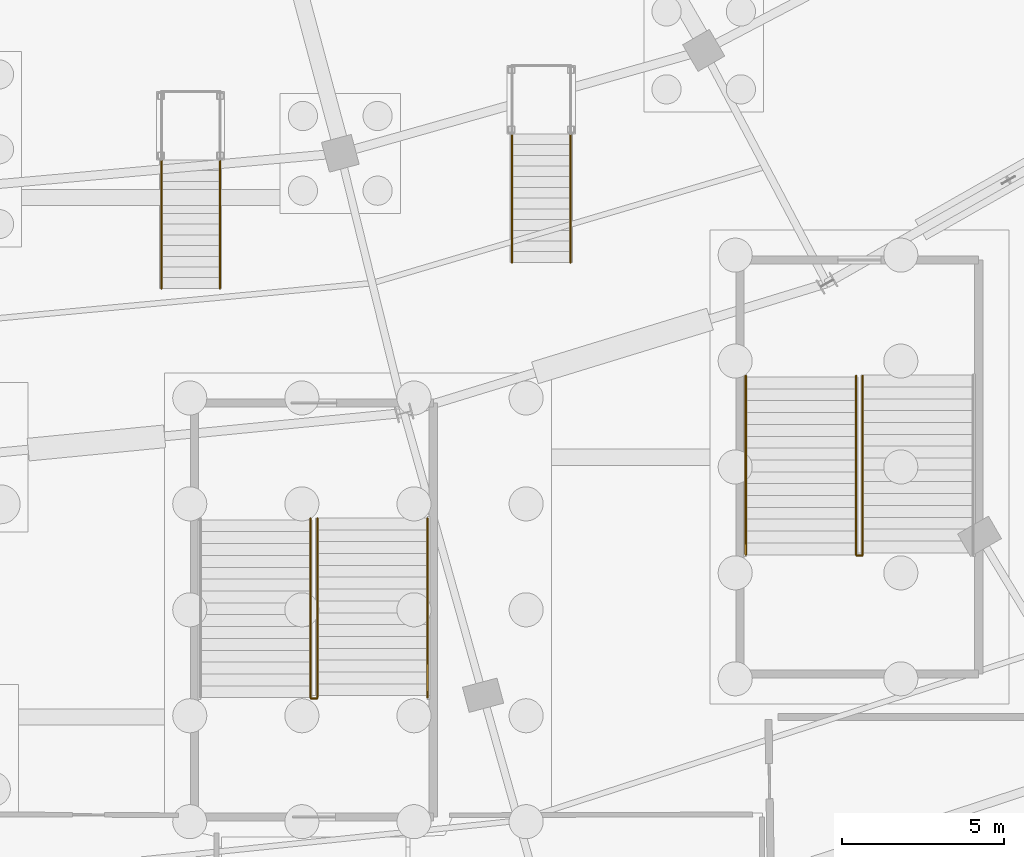
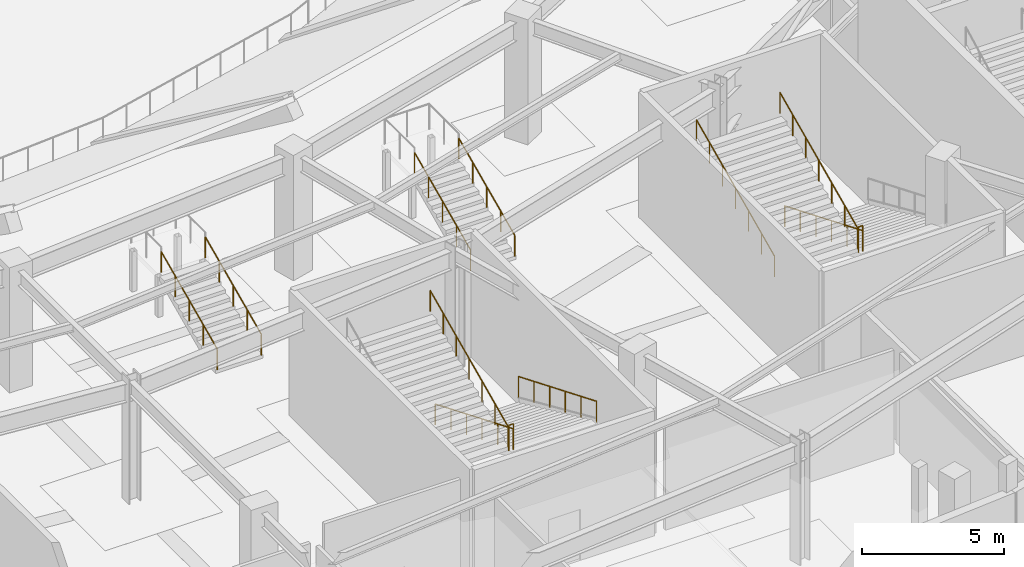
# One storey, part 74 of 93: 12 railings.
"""IFC4 building model written with IfcOpenShell, lengths in metres."""

import ifcopenshell
import ifcopenshell.guid

model = None  # the IFC model being written
_history = None  # IfcOwnerHistory: only IFC2X3 demands one
_inside = {}  # id of a spatial element -> (the spatial element, [elements in it])
_under = {}  # id of a project, library or spatial element -> (it, [spatial elements below it])
_declared = {}  # id of a project -> (the project, [libraries it declares])
_typed = {}  # id of a type object -> (the type object, [elements of that type])
_made_of = {}  # id of a material, layer set ... -> (it, [elements and type objects made of it])


def new_model(schema):
    """Start an empty IFC model of exactly this schema.

    Asked for "IFC4X3", IfcOpenShell would pick the latest addendum, in which some entities
    have other attributes; the version numbers below select the first issue.
    IFC2X3 requires an IfcOwnerHistory on every rooted entity: one is made here for all.
    """
    global model, _history
    if schema == "IFC4X3":
        model = ifcopenshell.file(schema_version=(4, 3, 0, 0))
    else:
        model = ifcopenshell.file(schema=schema)
    _inside.clear()
    _under.clear()
    _declared.clear()
    _typed.clear()
    _made_of.clear()
    _history = None
    if model.schema == "IFC2X3":
        org = make("IfcOrganization", Name="unknown")
        user = make(
            "IfcPersonAndOrganization",
            ThePerson=make("IfcPerson", FamilyName="unknown"),
            TheOrganization=org,
        )
        app = make(
            "IfcApplication",
            ApplicationDeveloper=org,
            Version="unknown",
            ApplicationFullName="unknown",
            ApplicationIdentifier="unknown",
        )
        _history = make(
            "IfcOwnerHistory",
            OwningUser=user,
            OwningApplication=app,
            ChangeAction="ADDED",
            CreationDate=0,
        )
    return model


def make(cls, **values):
    """One entity of the class cls with the attributes given. An attribute that is None is left unset."""
    return model.create_entity(
        cls, **{name: value for name, value in values.items() if value is not None}
    )


def rooted(cls, **values):
    """An entity with a GlobalId (a new one), such as an element, a storey or a relation."""
    return make(cls, GlobalId=ifcopenshell.guid.new(), OwnerHistory=_history, **values)


def si_unit(unit_type, name, prefix=None):
    """IfcSIUnit, for example si_unit("LENGTHUNIT", "METRE", prefix="MILLI")."""
    return make("IfcSIUnit", UnitType=unit_type, Prefix=prefix, Name=name)


def assignment(units):
    """IfcUnitAssignment: the units of a project."""
    return None if units is None else make("IfcUnitAssignment", Units=units)


def point(xyz):
    """IfcCartesianPoint."""
    return None if xyz is None else make("IfcCartesianPoint", Coordinates=xyz)


def direction(xyz):
    """IfcDirection."""
    return None if xyz is None else make("IfcDirection", DirectionRatios=xyz)


def frame(location, z_axis=None, x_axis=None):
    """IfcAxis2Placement3D, a coordinate frame: its origin and axes. An axis left out is left unset."""
    return make(
        "IfcAxis2Placement3D",
        Location=point(location),
        Axis=direction(z_axis),
        RefDirection=direction(x_axis),
    )


def frame_2d(location, x_axis=None):
    """IfcAxis2Placement2D, a coordinate frame in the plane: its origin and x axis."""
    return make(
        "IfcAxis2Placement2D", Location=point(location), RefDirection=direction(x_axis)
    )


def origin():
    """The frame at (0, 0, 0) with its axes left unset."""
    return frame((0.0, 0.0, 0.0))


def origin_2d():
    """The frame at (0, 0) in the plane with its x axis left unset."""
    return frame_2d((0.0, 0.0))


def place(relative_to, where):
    """IfcLocalPlacement: puts the frame where relative to a parent placement (None: the world)."""
    return make(
        "IfcLocalPlacement", PlacementRelTo=relative_to, RelativePlacement=where
    )


def context(
    kind, dimensions, precision=None, world=None, true_north=None, identifier=None
):
    """IfcGeometricRepresentationContext, for example the 3D "Model" context."""
    return make(
        "IfcGeometricRepresentationContext",
        ContextIdentifier=identifier,
        ContextType=kind,
        CoordinateSpaceDimension=dimensions,
        Precision=precision,
        WorldCoordinateSystem=world,
        TrueNorth=true_north,
    )


def subcontext(parent, identifier, kind, view, scale=None):
    """IfcGeometricRepresentationSubContext, for example "Body" below "Model"."""
    return make(
        "IfcGeometricRepresentationSubContext",
        ContextIdentifier=identifier,
        ContextType=kind,
        ParentContext=parent,
        TargetScale=scale,
        TargetView=view,
    )


def project(units=None, contexts=None):
    """IfcProject with its units and contexts."""
    return rooted(
        "IfcProject",
        Name="project",
        RepresentationContexts=contexts,
        UnitsInContext=assignment(units),
    )


def spatial(cls, under=None, at=None, **own):
    """A site, building, storey or space (cls), placed at a placement, below another one or the project."""
    s = rooted(cls, ObjectPlacement=at, **own)
    if under is not None:
        _under.setdefault(under.id(), (under, []))[1].append(s)
    return s


def profile(cls, at=None, kind="AREA", **sizes):
    """A parametric profile (cls). Its sizes go by their IFC names, for example OverallWidth=200.0."""
    return make(cls, ProfileType=kind, Position=at, **sizes)


def circle(**sizes):
    """IfcCircleProfileDef."""
    return profile("IfcCircleProfileDef", **sizes)


def extrude(swept, where, along, depth):
    """IfcExtrudedAreaSolid: the profile swept, set in the frame where, extruded along a direction by depth."""
    return make(
        "IfcExtrudedAreaSolid",
        SweptArea=swept,
        Position=where,
        ExtrudedDirection=direction(along),
        Depth=depth,
    )


def shape(context_of_items, identifier, shape_type, items):
    """IfcShapeRepresentation: the items that make up one representation, for example the "Body"."""
    return make(
        "IfcShapeRepresentation",
        ContextOfItems=context_of_items,
        RepresentationIdentifier=identifier,
        RepresentationType=shape_type,
        Items=items,
    )


def material(Name=None, Category=None):
    """IfcMaterial."""
    return make("IfcMaterial", Name=Name, Category=Category)


def made_of(thing, what):
    """Note that an element or type object is made of a material, layer set ...; save() writes the relation."""
    if what is not None:
        _made_of.setdefault(what.id(), (what, []))[1].append(thing)
    return thing


def type_object(cls, material=None, **own):
    """A type object (cls), such as IfcWallType, which elements share."""
    return made_of(rooted(cls, **own), material)


def element(
    cls,
    number,
    at=None,
    inside=None,
    cuts=None,
    type_object=None,
    material=None,
    context=None,
    identifier="Body",
    shape_type=None,
    held_by="IfcProductDefinitionShape",
    body=None,
    shapes=None,
    **own,
):
    """One element of the class cls, such as IfcWall. Its Tag is "e" and its number.

    at: its placement. inside: the storey or other place that contains it. cuts: it is an
    opening in that element (IfcRelVoidsElement). A single representation is given by context,
    identifier, shape_type and body (its items); several are given by shapes. held_by: the class
    of the entity that holds the representations. save() writes the other relations.
    """
    e = rooted(cls, Tag="e%d" % number, ObjectPlacement=at, **own)
    if body is not None:
        shapes = [shape(context, identifier, shape_type, body)]
    if shapes is not None:
        e.Representation = make(held_by, Representations=shapes)
    if inside is not None:
        _inside.setdefault(inside.id(), (inside, []))[1].append(e)
    if cuts is not None:
        rooted(
            "IfcRelVoidsElement", RelatingBuildingElement=cuts, RelatedOpeningElement=e
        )
    if type_object is not None:
        _typed.setdefault(type_object.id(), (type_object, []))[1].append(e)
    return made_of(e, material)


def aggregate(whole, parts):
    """IfcRelAggregates: a whole, such as a stair, and the parts it consists of."""
    return rooted("IfcRelAggregates", RelatingObject=whole, RelatedObjects=parts)


def save(model, path):
    """Write the relations noted so far, then the file.

    IfcRelAggregates (storeys below a building ...), IfcRelContainedInSpatialStructure (elements
    in a storey), IfcRelDefinesByType, IfcRelAssociatesMaterial and IfcRelDeclares: one each for
    every whole, place, type object, material and project.
    """
    for whole, parts in _under.values():
        aggregate(whole, parts)
    for where, things in _inside.values():
        rooted(
            "IfcRelContainedInSpatialStructure",
            RelatedElements=things,
            RelatingStructure=where,
        )
    for kind, things in _typed.values():
        rooted("IfcRelDefinesByType", RelatedObjects=things, RelatingType=kind)
    for what, things in _made_of.values():
        rooted("IfcRelAssociatesMaterial", RelatedObjects=things, RelatingMaterial=what)
    for by, libraries in _declared.values():
        rooted("IfcRelDeclares", RelatingContext=by, RelatedDefinitions=libraries)
    model.write(path)


model = new_model("IFC4")

# Units and contexts
model_context = context("Model", 3, precision=1e-05, world=origin(), true_north=direction((0.0, 1.0)))
body_context = subcontext(model_context, "Body", "Model", "MODEL_VIEW")
ifc_project = project(units=[si_unit("LENGTHUNIT", "METRE"), si_unit("AREAUNIT", "SQUARE_METRE"), si_unit("VOLUMEUNIT", "CUBIC_METRE"), si_unit("PLANEANGLEUNIT", "RADIAN"), si_unit("MASSUNIT", "GRAM", prefix="KILO")], contexts=[model_context])

# Site, building, storey
site_placement = place(None, origin())
site = spatial("IfcSite", under=ifc_project, at=site_placement, CompositionType="ELEMENT")
building_placement = place(site_placement, origin())
building = spatial("IfcBuilding", under=site, at=building_placement, Name="Kalgoora Escarpment Arena", CompositionType="ELEMENT")
storey_placement = place(building_placement, origin())
storey = spatial("IfcBuildingStorey", under=building, at=storey_placement, Name="L00", CompositionType="ELEMENT", Elevation=0.0)

# Railings
ifc_material_1 = material(Name="Galvanised & powdercoated tubular steel", Category="steel")
railing_type_1 = type_object("IfcRailingType", Name="RAL-GUARD-1120", PredefinedType="GUARDRAIL", material=ifc_material_1)
railing_1_placement = place(storey_placement, frame((103.695068359375, 16.574951171875, 2.699951171875)))
element("IfcRailing", 1, at=railing_1_placement, inside=storey, type_object=railing_type_1, Name="ST15 L00 half-landing well guard", PredefinedType="GUARDRAIL", context=body_context, shape_type="SweptSolid", body=[
    extrude(circle(Radius=0.02392578125, at=origin_2d()), frame((0.0, 0.0, 1.09619140625), z_axis=(-1.0, 0.0, 0.0), x_axis=(0.0, -1.0, 0.0)), (0.0, 0.0, 1.0), 0.190185546875),
    extrude(circle(Radius=0.02099609375, at=origin_2d()), origin(), (0.0, 0.0, 1.0), 1.072021484375),
    extrude(circle(Radius=0.02099609375, at=origin_2d()), frame((-0.190185546875, 0.0, 0.0)), (0.0, 0.0, 1.0), 1.072021484375),
])
railing_2_placement = place(storey_placement, frame((120.489990234375, 20.97509765625, 2.699951171875)))
element("IfcRailing", 2, at=railing_2_placement, inside=storey, type_object=railing_type_1, Name="ST16 L00 half-landing well guard", PredefinedType="GUARDRAIL", context=body_context, shape_type="SweptSolid", body=[
    extrude(circle(Radius=0.02392578125, at=origin_2d()), frame((0.0, 0.0, 1.09619140625), z_axis=(-1.0, 0.0, 0.0), x_axis=(0.0, -1.0, 0.0)), (0.0, 0.0, 1.0), 0.179931640625),
    extrude(circle(Radius=0.02099609375, at=origin_2d()), origin(), (0.0, 0.0, 1.0), 1.072021484375),
    extrude(circle(Radius=0.02099609375, at=origin_2d()), frame((-0.179931640625, 0.0, 0.0)), (0.0, 0.0, 1.0), 1.072021484375),
])
ifc_material_2 = material(Name="Brushed stainless steel 316 handrail", Category="steel")
railing_type_2 = type_object("IfcRailingType", Name="RAL-HAND-920", PredefinedType="HANDRAIL", material=ifc_material_2)
for number, where, name in (
    (3, (107.10009765625, 22.110107421875, 0.388916015625), "ST15 L00 pitched stair handrail F1L"),
    (4, (103.705078125, 22.110107421875, 0.388916015625), "ST15 L00 pitched stair handrail F1R"),
):
    element("IfcRailing", number, at=place(storey_placement, frame(where)), inside=storey, type_object=railing_type_2, Name=name, PredefinedType="HANDRAIL", context=body_context, shape_type="SweptSolid", body=[
        extrude(circle(Radius=0.02392578125, at=origin_2d()), frame((0.0, 0.0, 0.89599609375), z_axis=(0.0, -0.924430832969, 0.381349754236), x_axis=(1.0, 0.0, 0.0)), (0.0, 0.0, 1.0), 5.955078125),
        extrude(circle(Radius=0.02099609375, at=origin_2d()), origin(), (0.0, 0.0, 1.0), 0.871826171875),
        extrude(circle(Radius=0.02099609375, at=origin_2d()), frame((0.0, -1.10107421875, 0.4541015625)), (0.0, 0.0, 1.0), 0.871826171875),
        extrude(circle(Radius=0.02099609375, at=origin_2d()), frame((0.0, -2.2021484375, 0.908447265625)), (0.0, 0.0, 1.0), 0.871826171875),
        extrude(circle(Radius=0.02099609375, at=origin_2d()), frame((0.0, -3.302978515625, 1.362548828125)), (0.0, 0.0, 1.0), 0.871826171875),
        extrude(circle(Radius=0.02099609375, at=origin_2d()), frame((0.0, -4.404052734375, 1.81689453125)), (0.0, 0.0, 1.0), 0.871826171875),
        extrude(circle(Radius=0.02099609375, at=origin_2d()), frame((0.0, -5.505126953125, 2.27099609375)), (0.0, 0.0, 1.0), 0.871826171875),
    ])
railing_3_placement = place(storey_placement, frame((103.4951171875, 16.60498046875, 2.828857421875)))
element("IfcRailing", 5, at=railing_3_placement, inside=storey, type_object=railing_type_2, Name="ST15 L00 pitched stair handrail F2L", PredefinedType="HANDRAIL", context=body_context, shape_type="SweptSolid", body=[
    extrude(circle(Radius=0.02392578125, at=origin_2d()), frame((0.0, 0.0, 0.89599609375), z_axis=(0.0, 0.908559891483, 0.417754621265), x_axis=(-1.0, 0.0, 0.0)), (0.0, 0.0, 1.0), 6.05908203125),
    extrude(circle(Radius=0.02099609375, at=origin_2d()), origin(), (0.0, 0.0, 1.0), 0.871826171875),
    extrude(circle(Radius=0.02099609375, at=origin_2d()), frame((0.0, 0.91748046875, 0.421875)), (0.0, 0.0, 1.0), 0.871826171875),
    extrude(circle(Radius=0.02099609375, at=origin_2d()), frame((0.0, 1.8349609375, 0.84375)), (0.0, 0.0, 1.0), 0.871826171875),
    extrude(circle(Radius=0.02099609375, at=origin_2d()), frame((0.0, 2.75244140625, 1.265625)), (0.0, 0.0, 1.0), 0.871826171875),
    extrude(circle(Radius=0.02099609375, at=origin_2d()), frame((0.0, 3.670166015625, 1.6875)), (0.0, 0.0, 1.0), 0.871826171875),
    extrude(circle(Radius=0.02099609375, at=origin_2d()), frame((0.0, 4.587646484375, 2.109375)), (0.0, 0.0, 1.0), 0.871826171875),
    extrude(circle(Radius=0.02099609375, at=origin_2d()), frame((0.0, 5.505126953125, 2.53125)), (0.0, 0.0, 1.0), 0.871826171875),
])
railing_4_placement = place(storey_placement, frame((120.5, 26.510009765625, 0.388916015625)))
element("IfcRailing", 6, at=railing_4_placement, inside=storey, type_object=railing_type_2, Name="ST16 L00 pitched stair handrail F1R", PredefinedType="HANDRAIL", context=body_context, shape_type="SweptSolid", body=[
    extrude(circle(Radius=0.02392578125, at=origin_2d()), frame((0.0, 0.0, 0.89599609375), z_axis=(0.0, -0.924430832969, 0.381349754236), x_axis=(1.0, 0.0, 0.0)), (0.0, 0.0, 1.0), 5.955078125),
    extrude(circle(Radius=0.02099609375, at=origin_2d()), origin(), (0.0, 0.0, 1.0), 0.871826171875),
    extrude(circle(Radius=0.02099609375, at=origin_2d()), frame((0.0, -1.10107421875, 0.4541015625)), (0.0, 0.0, 1.0), 0.871826171875),
    extrude(circle(Radius=0.02099609375, at=origin_2d()), frame((0.0, -2.2021484375, 0.908447265625)), (0.0, 0.0, 1.0), 0.871826171875),
    extrude(circle(Radius=0.02099609375, at=origin_2d()), frame((0.0, -3.302978515625, 1.362548828125)), (0.0, 0.0, 1.0), 0.871826171875),
    extrude(circle(Radius=0.02099609375, at=origin_2d()), frame((0.0, -4.404052734375, 1.81689453125)), (0.0, 0.0, 1.0), 0.871826171875),
    extrude(circle(Radius=0.02099609375, at=origin_2d()), frame((0.0, -5.505126953125, 2.27099609375)), (0.0, 0.0, 1.0), 0.871826171875),
])
for number, where, name in (
    (7, (120.300048828125, 21.0048828125, 2.828857421875), "ST16 L00 pitched stair handrail F2L"),
    (8, (116.89990234375, 21.0048828125, 2.828857421875), "ST16 L00 pitched stair handrail F2R"),
):
    element("IfcRailing", number, at=place(storey_placement, frame(where)), inside=storey, type_object=railing_type_2, Name=name, PredefinedType="HANDRAIL", context=body_context, shape_type="SweptSolid", body=[
        extrude(circle(Radius=0.02392578125, at=origin_2d()), frame((0.0, 0.0, 0.89599609375), z_axis=(0.0, 0.908559891483, 0.417754621265), x_axis=(-1.0, 0.0, 0.0)), (0.0, 0.0, 1.0), 6.05908203125),
        extrude(circle(Radius=0.02099609375, at=origin_2d()), origin(), (0.0, 0.0, 1.0), 0.871826171875),
        extrude(circle(Radius=0.02099609375, at=origin_2d()), frame((0.0, 0.91748046875, 0.421875)), (0.0, 0.0, 1.0), 0.871826171875),
        extrude(circle(Radius=0.02099609375, at=origin_2d()), frame((0.0, 1.8349609375, 0.84375)), (0.0, 0.0, 1.0), 0.871826171875),
        extrude(circle(Radius=0.02099609375, at=origin_2d()), frame((0.0, 2.75244140625, 1.265625)), (0.0, 0.0, 1.0), 0.871826171875),
        extrude(circle(Radius=0.02099609375, at=origin_2d()), frame((0.0, 3.670166015625, 1.6875)), (0.0, 0.0, 1.0), 0.871826171875),
        extrude(circle(Radius=0.02099609375, at=origin_2d()), frame((0.0, 4.587646484375, 2.109375)), (0.0, 0.0, 1.0), 0.871826171875),
        extrude(circle(Radius=0.02099609375, at=origin_2d()), frame((0.0, 5.505126953125, 2.53125)), (0.0, 0.0, 1.0), 0.871826171875),
    ])
for number, where, name in (
    (9, (100.699951171875, 29.199951171875, 0.14990234375), "Vomitory VST07 handrail L"),
    (10, (98.89990234375, 29.199951171875, 0.14990234375), "Vomitory VST07 handrail R"),
    (11, (111.5, 30.0, 0.14990234375), "Vomitory VST08 handrail L"),
    (12, (109.699951171875, 30.0, 0.14990234375), "Vomitory VST08 handrail R"),
):
    element("IfcRailing", number, at=place(storey_placement, frame(where)), inside=storey, type_object=railing_type_2, Name=name, PredefinedType="HANDRAIL", context=body_context, shape_type="SweptSolid", body=[
        extrude(circle(Radius=0.02392578125, at=origin_2d()), frame((0.0, 0.0, 0.89599609375), z_axis=(0.0, 0.910360711023, 0.413815630233), x_axis=(-1.0, 0.0, 0.0)), (0.0, 0.0, 1.0), 4.349853515625),
        extrude(circle(Radius=0.02099609375, at=origin_2d()), origin(), (0.0, 0.0, 1.0), 0.871826171875),
        extrude(circle(Radius=0.02099609375, at=origin_2d()), frame((0.0, 0.989990234375, 0.449951171875)), (0.0, 0.0, 1.0), 0.871826171875),
        extrude(circle(Radius=0.02099609375, at=origin_2d()), frame((0.0, 1.97998046875, 0.89990234375)), (0.0, 0.0, 1.0), 0.871826171875),
        extrude(circle(Radius=0.02099609375, at=origin_2d()), frame((0.0, 2.969970703125, 1.35009765625)), (0.0, 0.0, 1.0), 0.871826171875),
        extrude(circle(Radius=0.02099609375, at=origin_2d()), frame((0.0, 3.9599609375, 1.800048828125)), (0.0, 0.0, 1.0), 0.871826171875),
    ])

save(model, "model.ifc")
